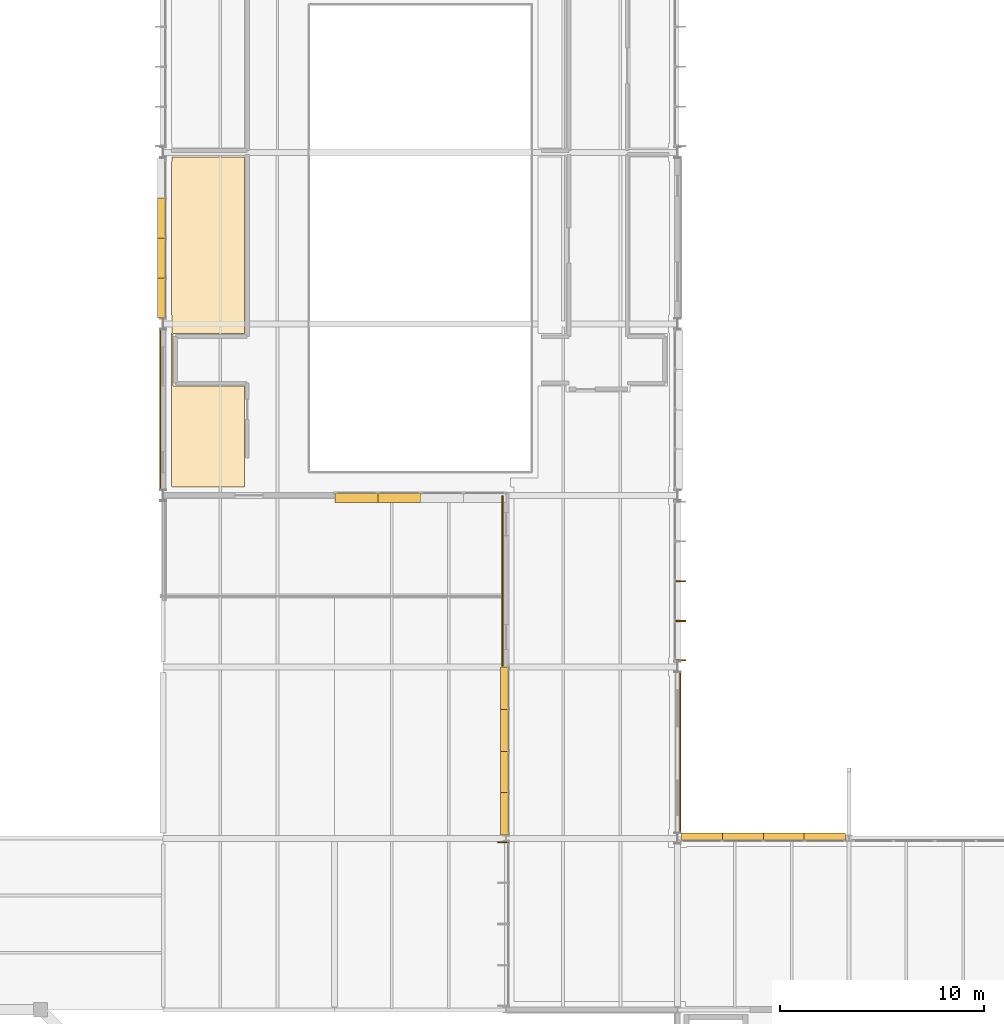
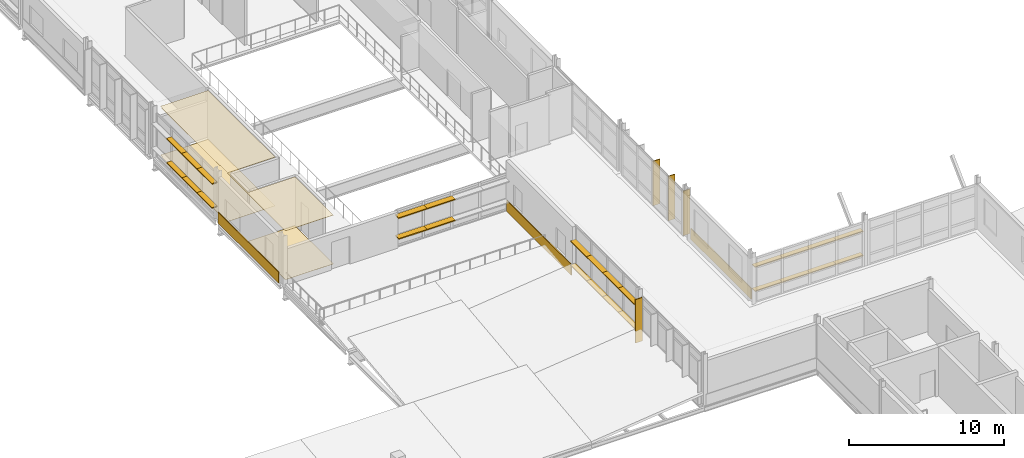
# One storey, part 117 of 131: 30 shading devices, 5 coverings.
"""IFC4 building model written with IfcOpenShell, lengths in metres."""

from ifc_helpers import new_model, si_unit, direction, frame, origin, origin_2d, place, context, subcontext, project, spatial, polyline, rectangle, outline, extrude, material, layer, layer_set, type_object, element, save


model = new_model("IFC4")

# Units and contexts
model_context = context("Model", 3, precision=1e-05, world=origin(), true_north=direction((0.0, 1.0)))
body_context = subcontext(model_context, "Body", "Model", "MODEL_VIEW")
ifc_project = project(units=[si_unit("LENGTHUNIT", "METRE"), si_unit("AREAUNIT", "SQUARE_METRE"), si_unit("VOLUMEUNIT", "CUBIC_METRE"), si_unit("PLANEANGLEUNIT", "RADIAN"), si_unit("MASSUNIT", "GRAM", prefix="KILO")], contexts=[model_context])

# Site, building, storey
site_placement = place(None, origin())
site = spatial("IfcSite", under=ifc_project, at=site_placement, CompositionType="ELEMENT")
building_placement = place(site_placement, origin())
building = spatial("IfcBuilding", under=site, at=building_placement, Name="Mersafa Astral City Hall", CompositionType="ELEMENT")
storey_placement = place(building_placement, frame((0.0, 0.0, 13.949951171875)))
storey = spatial("IfcBuildingStorey", under=building, at=storey_placement, Name="L03", CompositionType="ELEMENT", Elevation=13.949951171875)

# Coverings
ifc_material_1 = material(Name="Cairo Mokattam buff limestone cladding", Category="masonry")
ifc_layer_1 = layer(ifc_material_1, 0.06005859375, Name="Cairo Mokattam buff limestone cladding")
ifc_layer_set_1 = layer_set([ifc_layer_1], Name="Cairo Mokattam buff limestone cladding — ENV-COV-LIMESTONE-60")
covering_type_1 = type_object("IfcCoveringType", Name="ENV-COV-LIMESTONE-60", PredefinedType="CLADDING", material=ifc_layer_set_1)
for number, where, z_axis, x_axis, name in (
    (1, (117.739501953125, 37.800048828125, 0.0), (0.0, 0.0, 1.0), (0.0, 1.0, 0.0), "L03 Cairo buff limestone rainscreen cladding 219"),
    (2, (92.260498046875, 54.60009765625, 0.0), (0.0, 0.0, 1.0), (0.0, -1.0, 0.0), "L03 Cairo buff limestone rainscreen cladding 267"),
):
    element("IfcCovering", number, at=place(storey_placement, frame(where, z_axis=z_axis, x_axis=x_axis)), inside=storey, type_object=covering_type_1, Name=name, PredefinedType="CLADDING", context=body_context, shape_type="SweptSolid", body=[
        extrude(rectangle(XDim=7.798095703125, YDim=0.06005859375, at=origin_2d()), origin(), (0.0, 0.0, 1.0), 0.860107421875),
    ])
covering_1_placement = place(storey_placement, frame((109.030517578125, 46.199951171875, 0.0), z_axis=(0.0, 0.0, 1.0), x_axis=(0.0, -1.0, 0.0)))
element("IfcCovering", 3, at=covering_1_placement, inside=storey, type_object=covering_type_1, Name="L03 Cairo buff limestone rainscreen cladding 268", PredefinedType="CLADDING", context=body_context, shape_type="SweptSolid", body=[
    extrude(rectangle(XDim=8.340087890625, YDim=0.06005859375, at=origin_2d()), origin(), (0.0, 0.0, 1.0), 0.860107421875),
])

# Shading devices
ifc_material_2 = material(Name="Anodised bronze aluminium solar fin", Category="aluminium")
shading_device_type_1 = type_object("IfcShadingDeviceType", Name="ENV-SHD-FIN-500A", PredefinedType="USERDEFINED", material=ifc_material_2)
shading_device_1_placement = place(storey_placement, frame((109.054931640625, 33.407958984375, -0.01513671875), z_axis=(0.0, 0.0, 1.0), x_axis=(0.0, -1.0, 0.0)))
element("IfcShadingDevice", 4, at=shading_device_1_placement, inside=storey, type_object=shading_device_type_1, Name="L03 Vertical bronze solar fin 947", ObjectType="FIN", PredefinedType="USERDEFINED", context=body_context, shape_type="SweptSolid", body=[
    extrude(rectangle(XDim=0.06005859375, YDim=0.5, at=origin_2d()), origin(), (0.0, 0.0, 1.0), 3.422119140625),
])
for number, where, z_axis, x_axis, name in (
    (5, (117.7451171875, 42.31689453125, -0.01513671875), (0.0, 0.0, 1.0), (0.0, 1.0, 0.0), "L03 Vertical bronze solar fin 968"),
    (6, (117.7451171875, 44.243408203125, -0.01513671875), (0.0, 0.0, 1.0), (0.0, 1.0, 0.0), "L03 Vertical bronze solar fin 969"),
    (7, (117.7451171875, 46.199951171875, -0.01513671875), (0.0, 0.0, 1.0), (0.0, 1.0, 0.0), "L03 Vertical bronze solar fin 970"),
):
    element("IfcShadingDevice", number, at=place(storey_placement, frame(where, z_axis=z_axis, x_axis=x_axis)), inside=storey, type_object=shading_device_type_1, Name=name, ObjectType="FIN", PredefinedType="USERDEFINED", context=body_context, shape_type="SweptSolid", body=[
        extrude(rectangle(XDim=0.06005859375, YDim=0.5, at=origin_2d()), origin(), (0.0, 0.0, 1.0), 3.511962890625),
    ])
ifc_material_3 = material(Name="Kiln-dried cedar timber brise-soleil blade", Category="wood")
shading_device_type_2 = type_object("IfcShadingDeviceType", Name="ENV-SHD-LOUVRE-380", PredefinedType="JALOUSIE", material=ifc_material_3)
shading_device_2_placement = place(storey_placement, frame((124.8134765625, 33.679931640625, 0.81494140625), z_axis=(0.0, 0.0, 1.0), x_axis=(-1.0, 0.0, 0.0)))
element("IfcShadingDevice", 8, at=shading_device_2_placement, inside=storey, type_object=shading_device_type_2, Name="L03 Horizontal cedar brise-soleil louvre 960", PredefinedType="JALOUSIE", context=body_context, shape_type="SweptSolid", body=[
    extrude(rectangle(XDim=2.029052734375, YDim=0.3798828125, at=origin_2d()), origin(), (0.0, 0.0, 1.0), 0.070068359375),
])
for number, where, z_axis, x_axis, name in (
    (9, (122.8095703125, 33.679931640625, 0.81494140625), (0.0, 0.0, 1.0), (-1.0, 0.0, 0.0), "L03 Horizontal cedar brise-soleil louvre 961"),
    (10, (120.79052734375, 33.679931640625, 0.81494140625), (0.0, 0.0, 1.0), (-1.0, 0.0, 0.0), "L03 Horizontal cedar brise-soleil louvre 962"),
):
    element("IfcShadingDevice", number, at=place(storey_placement, frame(where, z_axis=z_axis, x_axis=x_axis)), inside=storey, type_object=shading_device_type_2, Name=name, PredefinedType="JALOUSIE", context=body_context, shape_type="SweptSolid", body=[
        extrude(rectangle(XDim=2.05908203125, YDim=0.3798828125, at=origin_2d()), origin(), (0.0, 0.0, 1.0), 0.070068359375),
    ])
for number, where, z_axis, x_axis, name in (
    (11, (118.78662109375, 33.679931640625, 0.81494140625), (0.0, 0.0, 1.0), (-1.0, 0.0, 0.0), "L03 Horizontal cedar brise-soleil louvre 963"),
    (12, (124.8134765625, 33.679931640625, 2.71484375), (0.0, 0.0, 1.0), (-1.0, 0.0, 0.0), "L03 Horizontal cedar brise-soleil louvre 964"),
):
    element("IfcShadingDevice", number, at=place(storey_placement, frame(where, z_axis=z_axis, x_axis=x_axis)), inside=storey, type_object=shading_device_type_2, Name=name, PredefinedType="JALOUSIE", context=body_context, shape_type="SweptSolid", body=[
        extrude(rectangle(XDim=2.029052734375, YDim=0.3798828125, at=origin_2d()), origin(), (0.0, 0.0, 1.0), 0.070068359375),
    ])
for number, where, z_axis, x_axis, name in (
    (13, (122.8095703125, 33.679931640625, 2.71484375), (0.0, 0.0, 1.0), (-1.0, 0.0, 0.0), "L03 Horizontal cedar brise-soleil louvre 965"),
    (14, (120.79052734375, 33.679931640625, 2.71484375), (0.0, 0.0, 1.0), (-1.0, 0.0, 0.0), "L03 Horizontal cedar brise-soleil louvre 966"),
):
    element("IfcShadingDevice", number, at=place(storey_placement, frame(where, z_axis=z_axis, x_axis=x_axis)), inside=storey, type_object=shading_device_type_2, Name=name, PredefinedType="JALOUSIE", context=body_context, shape_type="SweptSolid", body=[
        extrude(rectangle(XDim=2.05908203125, YDim=0.3798828125, at=origin_2d()), origin(), (0.0, 0.0, 1.0), 0.070068359375),
    ])
shading_device_3_placement = place(storey_placement, frame((118.78662109375, 33.679931640625, 2.71484375), z_axis=(0.0, 0.0, 1.0), x_axis=(-1.0, 0.0, 0.0)))
element("IfcShadingDevice", 15, at=shading_device_3_placement, inside=storey, type_object=shading_device_type_2, Name="L03 Horizontal cedar brise-soleil louvre 967", PredefinedType="JALOUSIE", context=body_context, shape_type="SweptSolid", body=[
    extrude(rectangle(XDim=2.029052734375, YDim=0.3798828125, at=origin_2d()), origin(), (0.0, 0.0, 1.0), 0.070068359375),
])
for number, where, z_axis, x_axis, name in (
    (16, (92.320068359375, 63.978271484375, 0.81494140625), (0.0, 0.0, 1.0), (0.0, -1.0, 0.0), "L03 Horizontal cedar brise-soleil louvre 1187"),
    (17, (92.320068359375, 62.021728515625, 0.81494140625), (0.0, 0.0, 1.0), (0.0, -1.0, 0.0), "L03 Horizontal cedar brise-soleil louvre 1188"),
):
    element("IfcShadingDevice", number, at=place(storey_placement, frame(where, z_axis=z_axis, x_axis=x_axis)), inside=storey, type_object=shading_device_type_2, Name=name, PredefinedType="JALOUSIE", context=body_context, shape_type="SweptSolid", body=[
        extrude(rectangle(XDim=1.99658203125, YDim=0.3798828125, at=origin_2d()), origin(), (0.0, 0.0, 1.0), 0.070068359375),
    ])
shading_device_4_placement = place(storey_placement, frame((92.320068359375, 60.080322265625, 0.81494140625), z_axis=(0.0, 0.0, 1.0), x_axis=(0.0, -1.0, 0.0)))
element("IfcShadingDevice", 18, at=shading_device_4_placement, inside=storey, type_object=shading_device_type_2, Name="L03 Horizontal cedar brise-soleil louvre 1189", PredefinedType="JALOUSIE", context=body_context, shape_type="SweptSolid", body=[
    extrude(rectangle(XDim=1.966552734375, YDim=0.3798828125, at=origin_2d()), origin(), (0.0, 0.0, 1.0), 0.070068359375),
])
for number, where, z_axis, x_axis, name in (
    (19, (92.320068359375, 63.978271484375, 2.71484375), (0.0, 0.0, 1.0), (0.0, -1.0, 0.0), "L03 Horizontal cedar brise-soleil louvre 1191"),
    (20, (92.320068359375, 62.021728515625, 2.71484375), (0.0, 0.0, 1.0), (0.0, -1.0, 0.0), "L03 Horizontal cedar brise-soleil louvre 1192"),
):
    element("IfcShadingDevice", number, at=place(storey_placement, frame(where, z_axis=z_axis, x_axis=x_axis)), inside=storey, type_object=shading_device_type_2, Name=name, PredefinedType="JALOUSIE", context=body_context, shape_type="SweptSolid", body=[
        extrude(rectangle(XDim=1.99658203125, YDim=0.3798828125, at=origin_2d()), origin(), (0.0, 0.0, 1.0), 0.070068359375),
    ])
shading_device_5_placement = place(storey_placement, frame((92.320068359375, 60.080322265625, 2.71484375), z_axis=(0.0, 0.0, 1.0), x_axis=(0.0, -1.0, 0.0)))
element("IfcShadingDevice", 21, at=shading_device_5_placement, inside=storey, type_object=shading_device_type_2, Name="L03 Horizontal cedar brise-soleil louvre 1193", PredefinedType="JALOUSIE", context=body_context, shape_type="SweptSolid", body=[
    extrude(rectangle(XDim=1.966552734375, YDim=0.3798828125, at=origin_2d()), origin(), (0.0, 0.0, 1.0), 0.070068359375),
])
shading_device_6_placement = place(storey_placement, frame((109.1201171875, 40.955078125, 0.81494140625), z_axis=(0.0, 0.0, 1.0), x_axis=(0.0, -1.0, 0.0)))
element("IfcShadingDevice", 22, at=shading_device_6_placement, inside=storey, type_object=shading_device_type_2, Name="L03 Horizontal cedar brise-soleil louvre 1202", PredefinedType="JALOUSIE", context=body_context, shape_type="SweptSolid", body=[
    extrude(rectangle(XDim=2.069580078125, YDim=0.3798828125, at=origin_2d()), origin(), (0.0, 0.0, 1.0), 0.070068359375),
])
for number, where, z_axis, x_axis, name in (
    (23, (109.1201171875, 38.910888671875, 0.81494140625), (0.0, 0.0, 1.0), (0.0, -1.0, 0.0), "L03 Horizontal cedar brise-soleil louvre 1203"),
    (24, (109.1201171875, 36.851318359375, 0.81494140625), (0.0, 0.0, 1.0), (0.0, -1.0, 0.0), "L03 Horizontal cedar brise-soleil louvre 1204"),
):
    element("IfcShadingDevice", number, at=place(storey_placement, frame(where, z_axis=z_axis, x_axis=x_axis)), inside=storey, type_object=shading_device_type_2, Name=name, PredefinedType="JALOUSIE", context=body_context, shape_type="SweptSolid", body=[
        extrude(rectangle(XDim=2.099609375, YDim=0.3798828125, at=origin_2d()), origin(), (0.0, 0.0, 1.0), 0.070068359375),
    ])
for number, where, z_axis, x_axis, name in (
    (25, (109.1201171875, 34.806884765625, 0.81494140625), (0.0, 0.0, 1.0), (0.0, -1.0, 0.0), "L03 Horizontal cedar brise-soleil louvre 1205"),
    (26, (109.1201171875, 40.955078125, 2.71484375), (0.0, 0.0, 1.0), (0.0, -1.0, 0.0), "L03 Horizontal cedar brise-soleil louvre 1206"),
):
    element("IfcShadingDevice", number, at=place(storey_placement, frame(where, z_axis=z_axis, x_axis=x_axis)), inside=storey, type_object=shading_device_type_2, Name=name, PredefinedType="JALOUSIE", context=body_context, shape_type="SweptSolid", body=[
        extrude(rectangle(XDim=2.069580078125, YDim=0.3798828125, at=origin_2d()), origin(), (0.0, 0.0, 1.0), 0.070068359375),
    ])
for number, where, z_axis, x_axis, name in (
    (27, (109.1201171875, 38.910888671875, 2.71484375), (0.0, 0.0, 1.0), (0.0, -1.0, 0.0), "L03 Horizontal cedar brise-soleil louvre 1207"),
    (28, (109.1201171875, 36.851318359375, 2.71484375), (0.0, 0.0, 1.0), (0.0, -1.0, 0.0), "L03 Horizontal cedar brise-soleil louvre 1208"),
):
    element("IfcShadingDevice", number, at=place(storey_placement, frame(where, z_axis=z_axis, x_axis=x_axis)), inside=storey, type_object=shading_device_type_2, Name=name, PredefinedType="JALOUSIE", context=body_context, shape_type="SweptSolid", body=[
        extrude(rectangle(XDim=2.099609375, YDim=0.3798828125, at=origin_2d()), origin(), (0.0, 0.0, 1.0), 0.070068359375),
    ])
shading_device_7_placement = place(storey_placement, frame((109.1201171875, 34.806884765625, 2.71484375), z_axis=(0.0, 0.0, 1.0), x_axis=(0.0, -1.0, 0.0)))
element("IfcShadingDevice", 29, at=shading_device_7_placement, inside=storey, type_object=shading_device_type_2, Name="L03 Horizontal cedar brise-soleil louvre 1209", PredefinedType="JALOUSIE", context=body_context, shape_type="SweptSolid", body=[
    extrude(rectangle(XDim=2.069580078125, YDim=0.3798828125, at=origin_2d()), origin(), (0.0, 0.0, 1.0), 0.070068359375),
])
shading_device_type_3 = type_object("IfcShadingDeviceType", Name="ENV-SHD-LOUVRE-450", PredefinedType="JALOUSIE", material=ifc_material_3)
shading_device_8_placement = place(storey_placement, frame((101.864990234375, 50.284912109375, 0.81005859375), z_axis=(0.0, 0.0, 1.0), x_axis=(1.0, 0.0, 0.0)))
element("IfcShadingDevice", 30, at=shading_device_8_placement, inside=storey, type_object=shading_device_type_3, Name="L03 Horizontal cedar brise-soleil louvre 1194", PredefinedType="JALOUSIE", context=body_context, shape_type="SweptSolid", body=[
    extrude(rectangle(XDim=2.110107421875, YDim=0.449951171875, at=origin_2d()), origin(), (0.0, 0.0, 1.0), 0.080078125),
])
shading_device_9_placement = place(storey_placement, frame((103.949951171875, 50.284912109375, 0.81005859375), z_axis=(0.0, 0.0, 1.0), x_axis=(1.0, 0.0, 0.0)))
element("IfcShadingDevice", 31, at=shading_device_9_placement, inside=storey, type_object=shading_device_type_3, Name="L03 Horizontal cedar brise-soleil louvre 1195", PredefinedType="JALOUSIE", context=body_context, shape_type="SweptSolid", body=[
    extrude(rectangle(XDim=2.139892578125, YDim=0.449951171875, at=origin_2d()), origin(), (0.0, 0.0, 1.0), 0.080078125),
])
shading_device_10_placement = place(storey_placement, frame((101.864990234375, 50.284912109375, 2.45703125), z_axis=(0.0, 0.0, 1.0), x_axis=(1.0, 0.0, 0.0)))
element("IfcShadingDevice", 32, at=shading_device_10_placement, inside=storey, type_object=shading_device_type_3, Name="L03 Horizontal cedar brise-soleil louvre 1198", PredefinedType="JALOUSIE", context=body_context, shape_type="SweptSolid", body=[
    extrude(rectangle(XDim=2.110107421875, YDim=0.449951171875, at=origin_2d()), origin(), (0.0, 0.0, 1.0), 0.080078125),
])
shading_device_11_placement = place(storey_placement, frame((103.949951171875, 50.284912109375, 2.45703125), z_axis=(0.0, 0.0, 1.0), x_axis=(1.0, 0.0, 0.0)))
element("IfcShadingDevice", 33, at=shading_device_11_placement, inside=storey, type_object=shading_device_type_3, Name="L03 Horizontal cedar brise-soleil louvre 1199", PredefinedType="JALOUSIE", context=body_context, shape_type="SweptSolid", body=[
    extrude(rectangle(XDim=2.139892578125, YDim=0.449951171875, at=origin_2d()), origin(), (0.0, 0.0, 1.0), 0.080078125),
])

# Coverings
ifc_material_4 = material(Name="Perforated acoustic gypsum board ceiling", Category="gypsum")
ifc_layer_2 = layer(ifc_material_4, 0.02490234375, Name="Perforated acoustic gypsum board ceiling")
ifc_layer_set_2 = layer_set([ifc_layer_2], Name="Perforated acoustic gypsum board ceiling — INT-COV-CEIL-25")
covering_type_2 = type_object("IfcCoveringType", Name="INT-COV-CEIL-25", PredefinedType="CEILING", material=ifc_layer_set_2)
covering_2_placement = place(storey_placement, frame((0.0, 0.0, 3.8310546875)))
element("IfcCovering", 34, at=covering_2_placement, inside=storey, type_object=covering_type_2, Name="L03 Public Restroom L03-09 acoustic ceiling", PredefinedType="CEILING", context=body_context, shape_type="SweptSolid", body=[
    extrude(outline(polyline([(92.800048828125, 58.35498046875), (92.844970703125, 58.35498046875), (92.844970703125, 59.2451171875), (92.800048828125, 59.2451171875), (92.800048828125, 66.7548828125), (92.844970703125, 66.7548828125), (92.844970703125, 66.969970703125), (96.3798828125, 66.969970703125), (96.3798828125, 58.320068359375), (92.8798828125, 58.320068359375), (92.8798828125, 55.760009765625), (96.3798828125, 55.760009765625), (96.3798828125, 50.800048828125), (92.844970703125, 50.800048828125), (92.844970703125, 50.844970703125), (92.800048828125, 50.844970703125), (92.800048828125, 58.35498046875)])), origin(), (0.0, 0.0, 1.0), 0.02490234375),
])
ifc_material_5 = material(Name="Heavy-duty woven acoustic carpet tile", Category="finish")
ifc_layer_3 = layer(ifc_material_5, 0.014892578125, Name="Heavy-duty woven acoustic carpet tile")
ifc_layer_set_3 = layer_set([ifc_layer_3], Name="Heavy-duty woven acoustic carpet tile — INT-COV-FLR-15")
covering_type_3 = type_object("IfcCoveringType", Name="INT-COV-FLR-15", PredefinedType="FLOORING", material=ifc_layer_set_3)
covering_3_placement = place(storey_placement, frame((0.0, 0.0, -0.00146484375)))
element("IfcCovering", 35, at=covering_3_placement, inside=storey, type_object=covering_type_3, Name="L03 Public Restroom L03-09 architectural flooring", PredefinedType="FLOORING", context=body_context, shape_type="SweptSolid", body=[
    extrude(outline(polyline([(92.800048828125, 58.35498046875), (92.844970703125, 58.35498046875), (92.844970703125, 59.2451171875), (92.800048828125, 59.2451171875), (92.800048828125, 66.7548828125), (92.844970703125, 66.7548828125), (92.844970703125, 66.969970703125), (96.3798828125, 66.969970703125), (96.3798828125, 58.320068359375), (92.8798828125, 58.320068359375), (92.8798828125, 55.760009765625), (96.3798828125, 55.760009765625), (96.3798828125, 50.800048828125), (92.844970703125, 50.800048828125), (92.844970703125, 50.844970703125), (92.800048828125, 50.844970703125), (92.800048828125, 58.35498046875)])), origin(), (0.0, 0.0, 1.0), 0.014892578125),
])

save(model, "model.ifc")
